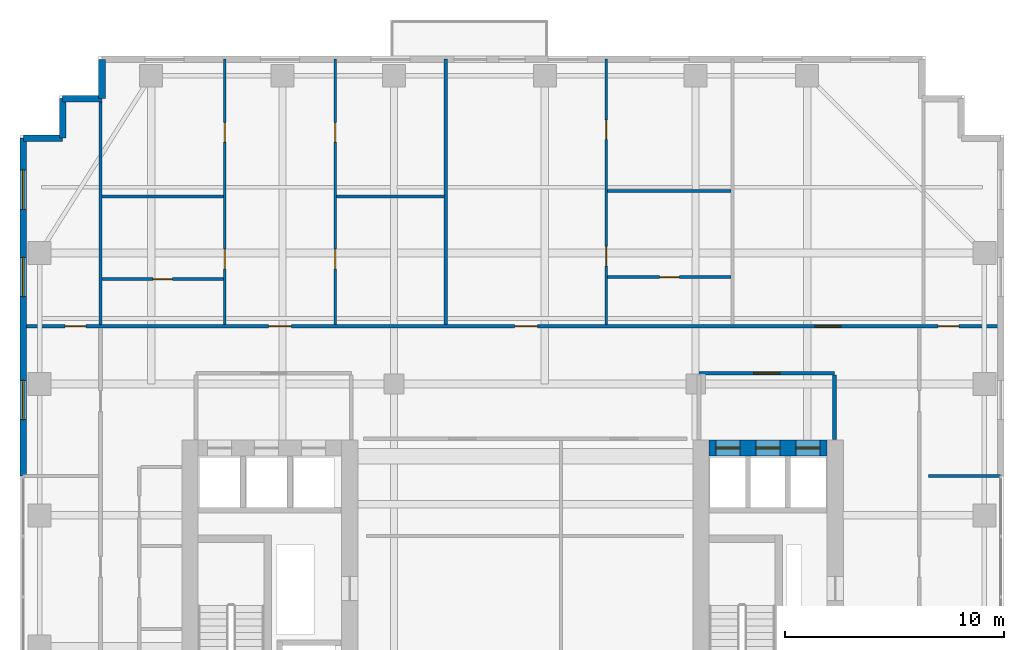
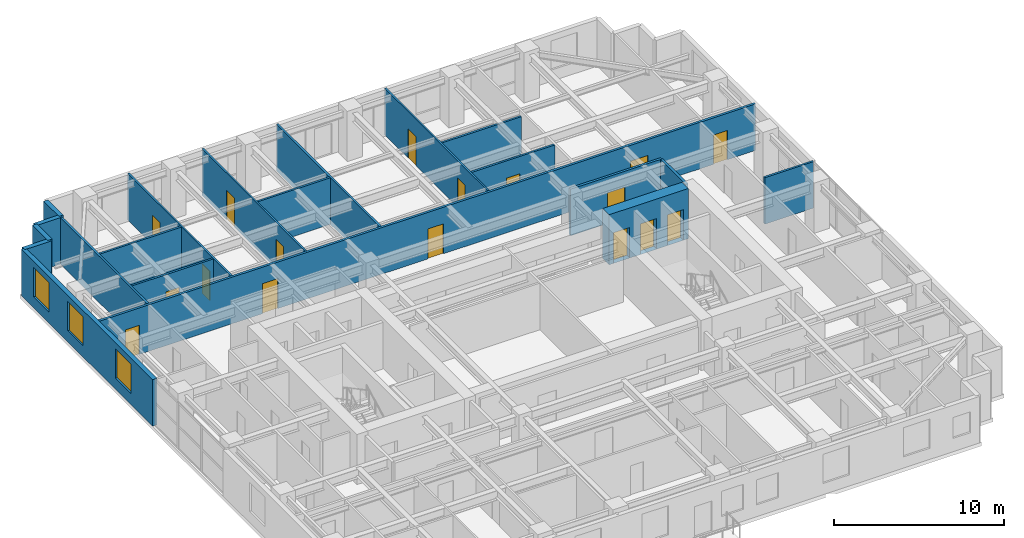
# One storey, part 10 of 13: 20 walls, 17 doors, 3 windows, 20 openings.
"""IFC4 building model written with IfcOpenShell, lengths in metres."""

from ifc_helpers import new_model, si_unit, direction, frame, frame_2d, origin, place, context, subcontext, project, spatial, rectangle, extrude, source, transform, mapped, material, layer, layer_set, type_object, element, fill, save


model = new_model("IFC4")

# Units and contexts
model_context = context("Model", 3, precision=1e-05, world=origin(), true_north=direction((0.0, 1.0)))
body_context = subcontext(model_context, "Body", "Model", "MODEL_VIEW")
ifc_project = project(units=[si_unit("LENGTHUNIT", "METRE"), si_unit("AREAUNIT", "SQUARE_METRE"), si_unit("VOLUMEUNIT", "CUBIC_METRE"), si_unit("PLANEANGLEUNIT", "RADIAN"), si_unit("MASSUNIT", "GRAM", prefix="KILO")], contexts=[model_context])

# Site, building, storey
site_placement = place(None, origin())
site = spatial("IfcSite", under=ifc_project, at=site_placement, CompositionType="ELEMENT")
building_placement = place(site_placement, origin())
building = spatial("IfcBuilding", under=site, at=building_placement, Name="Khoralis Quay Care Tower", CompositionType="ELEMENT")
storey_placement = place(building_placement, frame((0.0, 0.0, 87.300048828125)))
storey = spatial("IfcBuildingStorey", under=building, at=storey_placement, Name="L22", CompositionType="ELEMENT", Elevation=87.300048828125)

# Wall, openings, doors
ifc_material_1 = material(Name="Concrete C80/95", Category="concrete")
ifc_layer_1 = layer(ifc_material_1, 0.75)
ifc_layer_set_1 = layer_set([ifc_layer_1], Name="Concrete C80/95")
wall_type_1 = type_object("IfcWallType", Name="WL-CORE-750", PredefinedType="SHEAR", material=ifc_layer_set_1)
wall_1_placement = place(storey_placement, frame((31.52001953125, 27.074951171875, 0.0), z_axis=(0.0, 0.0, 1.0), x_axis=(1.0, 0.0, 0.0)))
wall_1 = element("IfcWall", 1, at=wall_1_placement, inside=storey, type_object=wall_type_1, Name="L22 ECORE North Shear Wall", PredefinedType="SHEAR", context=body_context, shape_type="SweptSolid", body=[
    extrude(rectangle(XDim=5.3798828125, YDim=0.75, at=frame_2d((2.68994140625, 0.0))), origin(), (0.0, 0.0, 1.0), 3.599853515625),
])
opening_1_placement = place(wall_1_placement, frame((0.300048828125, 0.0, 0.0)))
opening_1 = element("IfcOpeningElement", 2, at=opening_1_placement, cuts=wall_1, Name="Opening LD1", PredefinedType="OPENING", context=body_context, shape_type="SweptSolid", body=[
    extrude(rectangle(XDim=1.10009765625, YDim=2.199951171875, at=frame_2d((0.550048828125, 1.10009765625))), frame((0.0, 0.385009765625, 0.0), z_axis=(0.0, -1.0, 0.0), x_axis=(1.0, 0.0, 0.0)), (0.0, 0.0, 1.0), 0.77001953125),
])
opening_2_placement = place(wall_1_placement, frame((2.1298828125, 0.0, 0.0)))
opening_2 = element("IfcOpeningElement", 3, at=opening_2_placement, cuts=wall_1, Name="Opening LD1", PredefinedType="OPENING", context=body_context, shape_type="SweptSolid", body=[
    extrude(rectangle(XDim=1.10009765625, YDim=2.199951171875, at=frame_2d((0.550048828125, 1.10009765625))), frame((0.0, 0.385009765625, 0.0), z_axis=(0.0, -1.0, 0.0), x_axis=(1.0, 0.0, 0.0)), (0.0, 0.0, 1.0), 0.77001953125),
])
opening_3_placement = place(wall_1_placement, frame((3.9599609375, 0.0, 0.0)))
opening_3 = element("IfcOpeningElement", 4, at=opening_3_placement, cuts=wall_1, Name="Opening LD1", PredefinedType="OPENING", context=body_context, shape_type="SweptSolid", body=[
    extrude(rectangle(XDim=1.10009765625, YDim=2.199951171875, at=frame_2d((0.550048828125, 1.10009765625))), frame((0.0, 0.385009765625, 0.0), z_axis=(0.0, -1.0, 0.0), x_axis=(1.0, 0.0, 0.0)), (0.0, 0.0, 1.0), 0.77001953125),
])
ifc_material_2 = material(Name="Brushed stainless steel", Category="steel")
door_type_1 = type_object("IfcDoorType", Name="DR-LIFT-1100X2200", OperationType="SLIDING_TO_LEFT", PredefinedType="DOOR", material=ifc_material_2)
shared_shape_1 = source(origin(), body_context, "Body", "SweptSolid", [
    extrude(rectangle(XDim=1.10009765625, YDim=2.199951171875, at=frame_2d((0.550048828125, 1.10009765625))), frame((0.0, 0.02490234375, 0.0), z_axis=(0.0, -1.0, 0.0), x_axis=(1.0, 0.0, 0.0)), (0.0, 0.0, 1.0), 0.050048828125),
])
door_1_placement = place(opening_1_placement, origin())
door_1 = element("IfcDoor", 5, at=door_1_placement, inside=storey, type_object=door_type_1, Name="L22 Lift PLL2 Landing Door", OperationType="SLIDING_TO_LEFT", OverallHeight=2.199951171875, OverallWidth=1.10009765625, PredefinedType="DOOR", context=body_context, shape_type="MappedRepresentation", body=[
    mapped(shared_shape_1, transform((0.0, 0.0, 0.0), scale=1.0)),
])
fill(opening_1, door_1)
door_2_placement = place(opening_2_placement, origin())
door_2 = element("IfcDoor", 6, at=door_2_placement, inside=storey, type_object=door_type_1, Name="L22 Lift PLM2 Landing Door", OperationType="SLIDING_TO_LEFT", OverallHeight=2.199951171875, OverallWidth=1.10009765625, PredefinedType="DOOR", context=body_context, shape_type="MappedRepresentation", body=[
    mapped(shared_shape_1, transform((0.0, 0.0, 0.0), scale=1.0)),
])
fill(opening_2, door_2)
door_3_placement = place(opening_3_placement, origin())
door_3 = element("IfcDoor", 7, at=door_3_placement, inside=storey, type_object=door_type_1, Name="L22 Lift PLH2 Landing Door", OperationType="SLIDING_TO_LEFT", OverallHeight=2.199951171875, OverallWidth=1.10009765625, PredefinedType="DOOR", context=body_context, shape_type="MappedRepresentation", body=[
    mapped(shared_shape_1, transform((0.0, 0.0, 0.0), scale=1.0)),
])
fill(opening_3, door_3)

# Wall, opening, door
ifc_material_3 = material(Name="Gypsum plasterboard on acoustic metal stud")
ifc_layer_2 = layer(ifc_material_3, 0.1650390625)
ifc_layer_set_2 = layer_set([ifc_layer_2], Name="Gypsum plasterboard on acoustic metal stud")
wall_type_2 = type_object("IfcWallType", Name="WL-CORR-165", PredefinedType="PARTITIONING", material=ifc_layer_set_2)
wall_2_placement = place(storey_placement, frame((31.050048828125, 30.5, 0.0), z_axis=(0.0, 0.0, 1.0), x_axis=(1.0, 0.0, 0.0)))
wall_2 = element("IfcWall", 8, at=wall_2_placement, inside=storey, type_object=wall_type_2, Name="L22 East Lift Lobby North Wall", PredefinedType="PARTITIONING", context=body_context, shape_type="SweptSolid", body=[
    extrude(rectangle(XDim=6.199951171875, YDim=0.1650390625, at=frame_2d((3.10009765625, 0.0))), origin(), (0.0, 0.0, 1.0), 3.33984375),
])
opening_4_placement = place(wall_2_placement, frame((2.5, 0.0, 0.0)))
opening_4 = element("IfcOpeningElement", 9, at=opening_4_placement, cuts=wall_2, Name="Opening FD1", PredefinedType="OPENING", context=body_context, shape_type="SweptSolid", body=[
    extrude(rectangle(XDim=1.199951171875, YDim=2.199951171875, at=frame_2d((0.60009765625, 1.10009765625))), frame((0.0, 0.092529296875, 0.0), z_axis=(0.0, -1.0, 0.0), x_axis=(1.0, 0.0, 0.0)), (0.0, 0.0, 1.0), 0.18505859375),
])
ifc_material_4 = material(Name="Fire-rated painted steel", Category="steel")
door_type_2 = type_object("IfcDoorType", Name="DR-FFL-1200X2200", OperationType="NOTDEFINED", PredefinedType="DOOR", material=ifc_material_4)
shared_shape_2 = source(origin(), body_context, "Body", "SweptSolid", [
    extrude(rectangle(XDim=1.199951171875, YDim=2.199951171875, at=frame_2d((0.60009765625, 1.10009765625))), frame((0.0, 0.02490234375, 0.0), z_axis=(0.0, -1.0, 0.0), x_axis=(1.0, 0.0, 0.0)), (0.0, 0.0, 1.0), 0.050048828125),
])
door_4_placement = place(opening_4_placement, origin())
door_4 = element("IfcDoor", 10, at=door_4_placement, inside=storey, type_object=door_type_2, Name="L22 East Lift Lobby Double Door", OperationType="DOUBLE_DOOR_SINGLE_SWING", OverallHeight=2.199951171875, OverallWidth=1.199951171875, PredefinedType="DOOR", context=body_context, shape_type="MappedRepresentation", body=[
    mapped(shared_shape_2, transform((0.0, 0.0, 0.0), scale=1.0)),
])
fill(opening_4, door_4)

# Wall
wall_3_placement = place(storey_placement, frame((37.25, 27.469970703125, 0.0), z_axis=(0.0, 0.0, 1.0), x_axis=(0.0, 1.0, 0.0)))
element("IfcWall", 11, at=wall_3_placement, inside=storey, type_object=wall_type_2, Name="L22 East Lift Lobby East Wall", PredefinedType="PARTITIONING", context=body_context, shape_type="SweptSolid", body=[
    extrude(rectangle(XDim=2.95263671875, YDim=0.1650390625, at=frame_2d((1.476318359375, 0.0))), origin(), (0.0, 0.0, 1.0), 3.33984375),
])

# Wall, openings, doors
wall_4_placement = place(storey_placement, frame((0.14501953125, 32.639892578125, 0.0), z_axis=(0.0, 0.0, 1.0), x_axis=(1.0, 0.0, 0.0)))
wall_4 = element("IfcWall", 12, at=wall_4_placement, inside=storey, type_object=wall_type_2, Name="L22 North Main Corridor Wall", PredefinedType="PARTITIONING", context=body_context, shape_type="SweptSolid", body=[
    extrude(rectangle(XDim=44.7099609375, YDim=0.1650390625, at=frame_2d((22.35498046875, 0.0))), origin(), (0.0, 0.0, 1.0), 3.33984375),
])
opening_5_placement = place(wall_4_placement, frame((11.220458984375, 0.0, 0.0)))
opening_5 = element("IfcOpeningElement", 13, at=opening_5_placement, cuts=wall_4, Name="Opening UD1", PredefinedType="OPENING", context=body_context, shape_type="SweptSolid", body=[
    extrude(rectangle(XDim=1.050048828125, YDim=2.14990234375, at=frame_2d((0.52490234375, 1.074951171875))), frame((0.0, 0.092529296875, 0.0), z_axis=(0.0, -1.0, 0.0), x_axis=(1.0, 0.0, 0.0)), (0.0, 0.0, 1.0), 0.18505859375),
])
opening_6_placement = place(wall_4_placement, frame((22.473388671875, 0.0, 0.0)))
opening_6 = element("IfcOpeningElement", 14, at=opening_6_placement, cuts=wall_4, Name="Opening UD1", PredefinedType="OPENING", context=body_context, shape_type="SweptSolid", body=[
    extrude(rectangle(XDim=1.050048828125, YDim=2.14990234375, at=frame_2d((0.52490234375, 1.074951171875))), frame((0.0, 0.092529296875, 0.0), z_axis=(0.0, -1.0, 0.0), x_axis=(1.0, 0.0, 0.0)), (0.0, 0.0, 1.0), 0.18505859375),
])
opening_7_placement = place(wall_4_placement, frame((36.2099609375, 0.0, 0.0)))
opening_7 = element("IfcOpeningElement", 15, at=opening_7_placement, cuts=wall_4, Name="Opening FD1", PredefinedType="OPENING", context=body_context, shape_type="SweptSolid", body=[
    extrude(rectangle(XDim=1.199951171875, YDim=2.199951171875, at=frame_2d((0.60009765625, 1.10009765625))), frame((0.0, 0.092529296875, 0.0), z_axis=(0.0, -1.0, 0.0), x_axis=(1.0, 0.0, 0.0)), (0.0, 0.0, 1.0), 0.18505859375),
])
opening_8_placement = place(wall_4_placement, frame((1.919921875, 0.0, 0.0)))
opening_8 = element("IfcOpeningElement", 16, at=opening_8_placement, cuts=wall_4, Name="Opening ID1", PredefinedType="OPENING", context=body_context, shape_type="SweptSolid", body=[
    extrude(rectangle(XDim=0.949951171875, YDim=2.10009765625, at=frame_2d((0.47509765625, 1.050048828125))), frame((0.0, 0.092529296875, 0.0), z_axis=(0.0, -1.0, 0.0), x_axis=(1.0, 0.0, 0.0)), (0.0, 0.0, 1.0), 0.18505859375),
])
opening_9_placement = place(wall_4_placement, frame((41.840087890625, 0.0, 0.0)))
opening_9 = element("IfcOpeningElement", 17, at=opening_9_placement, cuts=wall_4, Name="Opening ID1", PredefinedType="OPENING", context=body_context, shape_type="SweptSolid", body=[
    extrude(rectangle(XDim=0.949951171875, YDim=2.10009765625, at=frame_2d((0.47509765625, 1.050048828125))), frame((0.0, 0.092529296875, 0.0), z_axis=(0.0, -1.0, 0.0), x_axis=(1.0, 0.0, 0.0)), (0.0, 0.0, 1.0), 0.18505859375),
])
door_5_placement = place(opening_7_placement, origin())
door_5 = element("IfcDoor", 18, at=door_5_placement, inside=storey, type_object=door_type_2, Name="L22 Assisted Communal Dining Room Door", OperationType="DOUBLE_DOOR_SINGLE_SWING", OverallHeight=2.199951171875, OverallWidth=1.199951171875, PredefinedType="DOOR", context=body_context, shape_type="MappedRepresentation", body=[
    mapped(shared_shape_2, transform((0.0, 0.0, 0.0), scale=1.0)),
])
fill(opening_7, door_5)
ifc_material_5 = material(Name="Acoustic hardwood timber", Category="wood")
door_type_3 = type_object("IfcDoorType", Name="DR-ROOM-950X2100", OperationType="NOTDEFINED", PredefinedType="DOOR", material=ifc_material_5)
shared_shape_3 = source(origin(), body_context, "Body", "SweptSolid", [
    extrude(rectangle(XDim=0.949951171875, YDim=2.10009765625, at=frame_2d((0.47509765625, 1.050048828125))), frame((0.0, 0.02490234375, 0.0), z_axis=(0.0, -1.0, 0.0), x_axis=(1.0, 0.0, 0.0)), (0.0, 0.0, 1.0), 0.050048828125),
])
door_6_placement = place(opening_8_placement, origin())
door_6 = element("IfcDoor", 19, at=door_6_placement, inside=storey, type_object=door_type_3, Name="L22 NW Corner Door", OperationType="SINGLE_SWING_RIGHT", OverallHeight=2.10009765625, OverallWidth=0.949951171875, PredefinedType="DOOR", context=body_context, shape_type="MappedRepresentation", body=[
    mapped(shared_shape_3, transform((0.0, 0.0, 0.0), scale=1.0)),
])
fill(opening_8, door_6)
door_7_placement = place(opening_9_placement, origin())
door_7 = element("IfcDoor", 20, at=door_7_placement, inside=storey, type_object=door_type_3, Name="L22 NE Corner Door", OperationType="SINGLE_SWING_LEFT", OverallHeight=2.10009765625, OverallWidth=0.949951171875, PredefinedType="DOOR", context=body_context, shape_type="MappedRepresentation", body=[
    mapped(shared_shape_3, transform((0.0, 0.0, 0.0), scale=1.0)),
])
fill(opening_9, door_7)
door_type_4 = type_object("IfcDoorType", Name="DR-SUITE-1050X2150", OperationType="NOTDEFINED", PredefinedType="DOOR", material=ifc_material_5)
shared_shape_4 = source(origin(), body_context, "Body", "SweptSolid", [
    extrude(rectangle(XDim=1.050048828125, YDim=2.14990234375, at=frame_2d((0.52490234375, 1.074951171875))), frame((0.0, 0.02490234375, 0.0), z_axis=(0.0, -1.0, 0.0), x_axis=(1.0, 0.0, 0.0)), (0.0, 0.0, 1.0), 0.050048828125),
])
door_8_placement = place(opening_5_placement, origin())
door_8 = element("IfcDoor", 21, at=door_8_placement, inside=storey, type_object=door_type_4, Name="L22 2BR NB0 Entrance", OperationType="SINGLE_SWING_RIGHT", OverallHeight=2.14990234375, OverallWidth=1.050048828125, PredefinedType="DOOR", context=body_context, shape_type="MappedRepresentation", body=[
    mapped(shared_shape_4, transform((0.0, 0.0, 0.0), scale=1.0)),
])
fill(opening_5, door_8)
door_9_placement = place(opening_6_placement, origin())
door_9 = element("IfcDoor", 22, at=door_9_placement, inside=storey, type_object=door_type_4, Name="L22 Studio NB1 Entrance", OperationType="SINGLE_SWING_LEFT", OverallHeight=2.14990234375, OverallWidth=1.050048828125, PredefinedType="DOOR", context=body_context, shape_type="MappedRepresentation", body=[
    mapped(shared_shape_4, transform((0.0, 0.0, 0.0), scale=1.0)),
])
fill(opening_6, door_9)

# Walls
ifc_material_6 = material(Name="Precast concrete C45/55", Category="concrete")
ifc_layer_3 = layer(ifc_material_6, 0.300048828125)
ifc_layer_set_3 = layer_set([ifc_layer_3], Name="Precast concrete C45/55")
wall_type_3 = type_object("IfcWallType", Name="WL-EXT-REF-300", PredefinedType="SOLIDWALL", material=ifc_layer_set_3)
for number, where, z_axis, x_axis, name in (
    (23, (3.75, 44.85009765625, 0.0), (0.0, 0.0, 1.0), (0.0, -1.0, 0.0), "L22 External Facade Wall WL-EXT-L22-P1-C11"),
    (24, (3.75, 43.050048828125, 0.0), (0.0, 0.0, 1.0), (-1.0, 0.0, 0.0), "L22 External Facade Wall WL-EXT-L22-P1-C12"),
    (25, (1.949951171875, 43.050048828125, 0.0), (0.0, 0.0, 1.0), (0.0, -1.0, 0.0), "L22 External Facade Wall WL-EXT-L22-P1-C13"),
    (26, (1.949951171875, 41.25, 0.0), (0.0, 0.0, 1.0), (-1.0, 0.0, 0.0), "L22 External Facade Wall WL-EXT-L22-P1-C14"),
):
    element("IfcWall", number, at=place(storey_placement, frame(where, z_axis=z_axis, x_axis=x_axis)), inside=storey, type_object=wall_type_3, Name=name, PredefinedType="SOLIDWALL", context=body_context, shape_type="SweptSolid", body=[
        extrude(rectangle(XDim=1.800048828125, YDim=0.300048828125, at=frame_2d((0.89990234375, 0.0))), origin(), (0.0, 0.0, 1.0), 3.33984375),
    ])

# Wall, openings, windows
wall_5_placement = place(storey_placement, frame((0.14990234375, 41.25, 0.0), z_axis=(0.0, 0.0, 1.0), x_axis=(0.0, -1.0, 0.0)))
wall_5 = element("IfcWall", 27, at=wall_5_placement, inside=storey, type_object=wall_type_3, Name="L22 External Facade Wall WL-EXT-L22-P1-E15A", PredefinedType="SOLIDWALL", context=body_context, shape_type="SweptSolid", body=[
    extrude(rectangle(XDim=15.449951171875, YDim=0.300048828125, at=frame_2d((7.72509765625, 0.0))), origin(), (0.0, 0.0, 1.0), 3.33984375),
])
opening_10_placement = place(wall_5_placement, frame((1.45751953125, 0.0, 0.800048828125)))
opening_10 = element("IfcOpeningElement", 28, at=opening_10_placement, cuts=wall_5, Name="Opening W2", PredefinedType="OPENING", context=body_context, shape_type="SweptSolid", body=[
    extrude(rectangle(XDim=1.800048828125, YDim=2.10009765625, at=frame_2d((0.89990234375, 1.050048828125))), frame((0.0, 0.16015625, 0.0), z_axis=(0.0, -1.0, 0.0), x_axis=(1.0, 0.0, 0.0)), (0.0, 0.0, 1.0), 0.320068359375),
])
opening_11_placement = place(wall_5_placement, frame((5.452392578125, 0.0, 0.800048828125)))
opening_11 = element("IfcOpeningElement", 29, at=opening_11_placement, cuts=wall_5, Name="Opening W2", PredefinedType="OPENING", context=body_context, shape_type="SweptSolid", body=[
    extrude(rectangle(XDim=1.800048828125, YDim=2.10009765625, at=frame_2d((0.89990234375, 1.050048828125))), frame((0.0, 0.16015625, 0.0), z_axis=(0.0, -1.0, 0.0), x_axis=(1.0, 0.0, 0.0)), (0.0, 0.0, 1.0), 0.320068359375),
])
opening_12_placement = place(wall_5_placement, frame((11.080078125, 0.0, 0.800048828125)))
opening_12 = element("IfcOpeningElement", 30, at=opening_12_placement, cuts=wall_5, Name="Opening W2", PredefinedType="OPENING", context=body_context, shape_type="SweptSolid", body=[
    extrude(rectangle(XDim=1.800048828125, YDim=2.10009765625, at=frame_2d((0.89990234375, 1.050048828125))), frame((0.0, 0.16015625, 0.0), z_axis=(0.0, -1.0, 0.0), x_axis=(1.0, 0.0, 0.0)), (0.0, 0.0, 1.0), 0.320068359375),
])
ifc_material_7 = material(Name="Low-E solar-control double glazing", Category="glass")
window_type = type_object("IfcWindowType", Name="WN-POD-1800X2100", PartitioningType="SINGLE_PANEL", PredefinedType="WINDOW", material=ifc_material_7)
shared_shape_5 = source(origin(), body_context, "Body", "SweptSolid", [
    extrude(rectangle(XDim=1.800048828125, YDim=2.10009765625, at=frame_2d((0.89990234375, 1.050048828125))), frame((0.0, 0.030029296875, 0.0), z_axis=(0.0, -1.0, 0.0), x_axis=(1.0, 0.0, 0.0)), (0.0, 0.0, 1.0), 0.06005859375),
])
window_1_placement = place(opening_10_placement, origin())
window_1 = element("IfcWindow", 31, at=window_1_placement, inside=storey, type_object=window_type, Name="WN-L22-P1-E15A Facade Window 01", OverallHeight=2.10009765625, OverallWidth=1.800048828125, PartitioningType="SINGLE_PANEL", PredefinedType="WINDOW", context=body_context, shape_type="MappedRepresentation", body=[
    mapped(shared_shape_5, transform((0.0, 0.0, 0.0), scale=1.0)),
])
fill(opening_10, window_1)
window_2_placement = place(opening_11_placement, origin())
window_2 = element("IfcWindow", 32, at=window_2_placement, inside=storey, type_object=window_type, Name="WN-L22-P1-E15A Facade Window 02", OverallHeight=2.10009765625, OverallWidth=1.800048828125, PartitioningType="SINGLE_PANEL", PredefinedType="WINDOW", context=body_context, shape_type="MappedRepresentation", body=[
    mapped(shared_shape_5, transform((0.0, 0.0, 0.0), scale=1.0)),
])
fill(opening_11, window_2)
window_3_placement = place(opening_12_placement, origin())
window_3 = element("IfcWindow", 33, at=window_3_placement, inside=storey, type_object=window_type, Name="WN-L22-P1-E15A Facade Window 03", OverallHeight=2.10009765625, OverallWidth=1.800048828125, PartitioningType="SINGLE_PANEL", PredefinedType="WINDOW", context=body_context, shape_type="MappedRepresentation", body=[
    mapped(shared_shape_5, transform((0.0, 0.0, 0.0), scale=1.0)),
])
fill(opening_12, window_3)

# Wall, openings, doors
ifc_layer_4 = layer(ifc_material_3, 0.114990234375)
ifc_layer_set_4 = layer_set([ifc_layer_4], Name="Gypsum plasterboard on acoustic metal stud")
wall_type_4 = type_object("IfcWallType", Name="WL-PART-115", PredefinedType="PARTITIONING", material=ifc_layer_set_4)
wall_6_placement = place(storey_placement, frame((9.364013671875, 32.717529296875, 0.0), z_axis=(0.0, 0.0, 1.0), x_axis=(0.0, 1.0, 0.0)))
wall_6 = element("IfcWall", 34, at=wall_6_placement, inside=storey, type_object=wall_type_4, Name="L22 2BR 0 Left Wall", PredefinedType="PARTITIONING", context=body_context, shape_type="SweptSolid", body=[
    extrude(rectangle(XDim=12.137451171875, YDim=0.114990234375, at=frame_2d((6.06884765625, 0.0))), origin(), (0.0, 0.0, 1.0), 3.33984375),
])
opening_13_placement = place(wall_6_placement, frame((8.343994140625, 0.0, 0.0)))
opening_13 = element("IfcOpeningElement", 35, at=opening_13_placement, cuts=wall_6, Name="Opening WD1", PredefinedType="OPENING", context=body_context, shape_type="SweptSolid", body=[
    extrude(rectangle(XDim=0.89990234375, YDim=2.10009765625, at=frame_2d((0.449951171875, 1.050048828125))), frame((0.0, 0.0673828125, 0.0), z_axis=(0.0, -1.0, 0.0), x_axis=(1.0, 0.0, 0.0)), (0.0, 0.0, 1.0), 0.135009765625),
])
opening_14_placement = place(wall_6_placement, frame((2.553955078125, 0.0, 0.0)))
opening_14 = element("IfcOpeningElement", 36, at=opening_14_placement, cuts=wall_6, Name="Opening WD1", PredefinedType="OPENING", context=body_context, shape_type="SweptSolid", body=[
    extrude(rectangle(XDim=0.89990234375, YDim=2.10009765625, at=frame_2d((0.449951171875, 1.050048828125))), frame((0.0, 0.0673828125, 0.0), z_axis=(0.0, -1.0, 0.0), x_axis=(1.0, 0.0, 0.0)), (0.0, 0.0, 1.0), 0.135009765625),
])
door_type_5 = type_object("IfcDoorType", Name="DR-BATH-900X2100", OperationType="NOTDEFINED", PredefinedType="DOOR", material=ifc_material_5)
shared_shape_6 = source(origin(), body_context, "Body", "SweptSolid", [
    extrude(rectangle(XDim=0.89990234375, YDim=2.10009765625, at=frame_2d((0.449951171875, 1.050048828125))), frame((0.0, 0.02490234375, 0.0), z_axis=(0.0, -1.0, 0.0), x_axis=(1.0, 0.0, 0.0)), (0.0, 0.0, 1.0), 0.050048828125),
])
door_10_placement = place(opening_13_placement, origin())
door_10 = element("IfcDoor", 37, at=door_10_placement, inside=storey, type_object=door_type_5, Name="L22 2BR BD1 Door", OperationType="SINGLE_SWING_LEFT", OverallHeight=2.10009765625, OverallWidth=0.89990234375, PredefinedType="DOOR", context=body_context, shape_type="MappedRepresentation", body=[
    mapped(shared_shape_6, transform((0.0, 0.0, 0.0), scale=1.0)),
])
fill(opening_13, door_10)
door_11_placement = place(opening_14_placement, origin())
door_11 = element("IfcDoor", 38, at=door_11_placement, inside=storey, type_object=door_type_5, Name="L22 2BR BTH Door", OperationType="SINGLE_SWING_RIGHT", OverallHeight=2.10009765625, OverallWidth=0.89990234375, PredefinedType="DOOR", context=body_context, shape_type="MappedRepresentation", body=[
    mapped(shared_shape_6, transform((0.0, 0.0, 0.0), scale=1.0)),
])
fill(opening_14, door_11)

wall_7_placement = place(storey_placement, frame((14.4169921875, 32.717529296875, 0.0), z_axis=(0.0, 0.0, 1.0), x_axis=(0.0, 1.0, 0.0)))
wall_7 = element("IfcWall", 39, at=wall_7_placement, inside=storey, type_object=wall_type_4, Name="L22 2BR 0 Right Wall", PredefinedType="PARTITIONING", context=body_context, shape_type="SweptSolid", body=[
    extrude(rectangle(XDim=12.137451171875, YDim=0.114990234375, at=frame_2d((6.06884765625, 0.0))), origin(), (0.0, 0.0, 1.0), 3.33984375),
])
opening_15_placement = place(wall_7_placement, frame((8.343994140625, 0.0, 0.0)))
opening_15 = element("IfcOpeningElement", 40, at=opening_15_placement, cuts=wall_7, Name="Opening WD1", PredefinedType="OPENING", context=body_context, shape_type="SweptSolid", body=[
    extrude(rectangle(XDim=0.89990234375, YDim=2.10009765625, at=frame_2d((0.449951171875, 1.050048828125))), frame((0.0, 0.0673828125, 0.0), z_axis=(0.0, -1.0, 0.0), x_axis=(1.0, 0.0, 0.0)), (0.0, 0.0, 1.0), 0.135009765625),
])
opening_16_placement = place(wall_7_placement, frame((2.553955078125, 0.0, 0.0)))
opening_16 = element("IfcOpeningElement", 41, at=opening_16_placement, cuts=wall_7, Name="Opening WD1", PredefinedType="OPENING", context=body_context, shape_type="SweptSolid", body=[
    extrude(rectangle(XDim=0.89990234375, YDim=2.10009765625, at=frame_2d((0.449951171875, 1.050048828125))), frame((0.0, 0.0673828125, 0.0), z_axis=(0.0, -1.0, 0.0), x_axis=(1.0, 0.0, 0.0)), (0.0, 0.0, 1.0), 0.135009765625),
])
door_12_placement = place(opening_15_placement, frame((0.89990234375, 0.0, 0.0), z_axis=(0.0, 0.0, 1.0), x_axis=(-1.0, 0.0, 0.0)))
door_12 = element("IfcDoor", 42, at=door_12_placement, inside=storey, type_object=door_type_5, Name="L22 2BR BD2 Door", OperationType="SINGLE_SWING_LEFT", OverallHeight=2.10009765625, OverallWidth=0.89990234375, PredefinedType="DOOR", context=body_context, shape_type="MappedRepresentation", body=[
    mapped(shared_shape_6, transform((0.0, 0.0, 0.0), scale=1.0)),
])
fill(opening_15, door_12)
door_13_placement = place(opening_16_placement, frame((0.89990234375, 0.0, 0.0), z_axis=(0.0, 0.0, 1.0), x_axis=(-1.0, 0.0, 0.0)))
door_13 = element("IfcDoor", 43, at=door_13_placement, inside=storey, type_object=door_type_5, Name="L22 2BR KIT Door", OperationType="SINGLE_SWING_RIGHT", OverallHeight=2.10009765625, OverallWidth=0.89990234375, PredefinedType="DOOR", context=body_context, shape_type="MappedRepresentation", body=[
    mapped(shared_shape_6, transform((0.0, 0.0, 0.0), scale=1.0)),
])
fill(opening_16, door_13)

wall_8_placement = place(storey_placement, frame((26.81689453125, 32.717529296875, 0.0), z_axis=(0.0, 0.0, 1.0), x_axis=(0.0, 1.0, 0.0)))
wall_8 = element("IfcWall", 44, at=wall_8_placement, inside=storey, type_object=wall_type_4, Name="L22 Studio 1 Internal Wall", PredefinedType="PARTITIONING", context=body_context, shape_type="SweptSolid", body=[
    extrude(rectangle(XDim=12.137451171875, YDim=0.114990234375, at=frame_2d((6.06884765625, 0.0))), origin(), (0.0, 0.0, 1.0), 3.33984375),
])
opening_17_placement = place(wall_8_placement, frame((8.467529296875, 0.0, 0.0)))
opening_17 = element("IfcOpeningElement", 45, at=opening_17_placement, cuts=wall_8, Name="Opening WD1", PredefinedType="OPENING", context=body_context, shape_type="SweptSolid", body=[
    extrude(rectangle(XDim=0.89990234375, YDim=2.10009765625, at=frame_2d((0.449951171875, 1.050048828125))), frame((0.0, 0.0673828125, 0.0), z_axis=(0.0, -1.0, 0.0), x_axis=(1.0, 0.0, 0.0)), (0.0, 0.0, 1.0), 0.135009765625),
])
opening_18_placement = place(wall_8_placement, frame((2.677490234375, 0.0, 0.0)))
opening_18 = element("IfcOpeningElement", 46, at=opening_18_placement, cuts=wall_8, Name="Opening WD1", PredefinedType="OPENING", context=body_context, shape_type="SweptSolid", body=[
    extrude(rectangle(XDim=0.89990234375, YDim=2.10009765625, at=frame_2d((0.449951171875, 1.050048828125))), frame((0.0, 0.0673828125, 0.0), z_axis=(0.0, -1.0, 0.0), x_axis=(1.0, 0.0, 0.0)), (0.0, 0.0, 1.0), 0.135009765625),
])
door_14_placement = place(opening_17_placement, frame((0.89990234375, 0.0, 0.0), z_axis=(0.0, 0.0, 1.0), x_axis=(-1.0, 0.0, 0.0)))
door_14 = element("IfcDoor", 47, at=door_14_placement, inside=storey, type_object=door_type_5, Name="L22 Studio SKT Door", OperationType="SINGLE_SWING_RIGHT", OverallHeight=2.10009765625, OverallWidth=0.89990234375, PredefinedType="DOOR", context=body_context, shape_type="MappedRepresentation", body=[
    mapped(shared_shape_6, transform((0.0, 0.0, 0.0), scale=1.0)),
])
fill(opening_17, door_14)
door_15_placement = place(opening_18_placement, frame((0.89990234375, 0.0, 0.0), z_axis=(0.0, 0.0, 1.0), x_axis=(-1.0, 0.0, 0.0)))
door_15 = element("IfcDoor", 48, at=door_15_placement, inside=storey, type_object=door_type_5, Name="L22 Studio SBH Door", OperationType="SINGLE_SWING_LEFT", OverallHeight=2.10009765625, OverallWidth=0.89990234375, PredefinedType="DOOR", context=body_context, shape_type="MappedRepresentation", body=[
    mapped(shared_shape_6, transform((0.0, 0.0, 0.0), scale=1.0)),
])
fill(opening_18, door_15)

# Walls
ifc_material_8 = material(Name="Moisture-resistant gypsum and ceramic tile")
ifc_layer_5 = layer(ifc_material_8, 0.280029296875)
ifc_layer_set_5 = layer_set([ifc_layer_5], Name="Moisture-resistant gypsum and ceramic tile")
wall_type_5 = type_object("IfcWallType", Name="WL-PLUMB-280", PredefinedType="PLUMBINGWALL", material=ifc_layer_set_5)
wall_9_placement = place(storey_placement, frame((3.7451171875, 38.572998046875, 0.0), z_axis=(0.0, 0.0, 1.0), x_axis=(1.0, 0.0, 0.0)))
element("IfcWall", 49, at=wall_9_placement, inside=storey, type_object=wall_type_5, Name="L22 2BR 0 Left Split", PredefinedType="PLUMBINGWALL", context=body_context, shape_type="SweptSolid", body=[
    extrude(rectangle(XDim=5.56640625, YDim=0.139892578125, at=frame_2d((2.783203125, 0.0))), origin(), (0.0, 0.0, 1.0), 3.33984375),
])
wall_10_placement = place(storey_placement, frame((14.469482421875, 38.572998046875, 0.0), z_axis=(0.0, 0.0, 1.0), x_axis=(1.0, 0.0, 0.0)))
element("IfcWall", 50, at=wall_10_placement, inside=storey, type_object=wall_type_5, Name="L22 2BR 0 Right Split", PredefinedType="PLUMBINGWALL", context=body_context, shape_type="SweptSolid", body=[
    extrude(rectangle(XDim=4.935546875, YDim=0.139892578125, at=frame_2d((2.4677734375, 0.0))), origin(), (0.0, 0.0, 1.0), 3.33984375),
])
wall_11_placement = place(storey_placement, frame((26.869384765625, 38.820068359375, 0.0), z_axis=(0.0, 0.0, 1.0), x_axis=(1.0, 0.0, 0.0)))
element("IfcWall", 51, at=wall_11_placement, inside=storey, type_object=wall_type_5, Name="L22 Studio 1 Wet Split", PredefinedType="PLUMBINGWALL", context=body_context, shape_type="SweptSolid", body=[
    extrude(rectangle(XDim=5.655517578125, YDim=0.139892578125, at=frame_2d((2.82763671875, 0.0))), origin(), (0.0, 0.0, 1.0), 2.98486328125),
])
ifc_layer_6 = layer(ifc_material_3, 0.139892578125)
ifc_layer_set_6 = layer_set([ifc_layer_6], Name="Gypsum plasterboard on acoustic metal stud")
wall_type_6 = type_object("IfcWallType", Name="WL-UNIT-140", PredefinedType="PARTITIONING", material=ifc_layer_set_6)
wall_12_placement = place(storey_placement, frame((41.5400390625, 25.800048828125, 0.0), z_axis=(0.0, 0.0, 1.0), x_axis=(1.0, 0.0, 0.0)))
element("IfcWall", 52, at=wall_12_placement, inside=storey, type_object=wall_type_6, Name="L22 EE Divider 2", PredefinedType="PARTITIONING", context=body_context, shape_type="SweptSolid", body=[
    extrude(rectangle(XDim=3.31494140625, YDim=0.139892578125, at=frame_2d((1.657470703125, 0.0))), origin(), (0.0, 0.0, 1.0), 3.33984375),
])
wall_13_placement = place(storey_placement, frame((3.679931640625, 32.717529296875, 0.0), z_axis=(0.0, 0.0, 1.0), x_axis=(0.0, 1.0, 0.0)))
element("IfcWall", 53, at=wall_13_placement, inside=storey, type_object=wall_type_6, Name="L22 NB Demising Wall 0", PredefinedType="PARTITIONING", context=body_context, shape_type="SweptSolid", body=[
    extrude(rectangle(XDim=10.33740234375, YDim=0.139892578125, at=frame_2d((5.168701171875, 0.0))), origin(), (0.0, 0.0, 1.0), 3.33984375),
])
wall_14_placement = place(storey_placement, frame((19.469970703125, 32.717529296875, 0.0), z_axis=(0.0, 0.0, 1.0), x_axis=(0.0, 1.0, 0.0)))
element("IfcWall", 54, at=wall_14_placement, inside=storey, type_object=wall_type_6, Name="L22 NB Demising Wall 1", PredefinedType="PARTITIONING", context=body_context, shape_type="SweptSolid", body=[
    extrude(rectangle(XDim=12.137451171875, YDim=0.139892578125, at=frame_2d((6.06884765625, 0.0))), origin(), (0.0, 0.0, 1.0), 3.33984375),
])

# Wall, opening, door
wall_15_placement = place(storey_placement, frame((3.7451171875, 34.800048828125, 0.0), z_axis=(0.0, 0.0, 1.0), x_axis=(1.0, 0.0, 0.0)))
wall_15 = element("IfcWall", 55, at=wall_15_placement, inside=storey, type_object=wall_type_6, Name="Family Apartment Bathroom L22-NB0 Sub-Partition", PredefinedType="PARTITIONING", context=body_context, shape_type="SweptSolid", body=[
    extrude(rectangle(XDim=5.56640625, YDim=0.139892578125, at=frame_2d((2.783203125, 0.0))), origin(), (0.0, 0.0, 1.0), 3.33984375),
])
opening_19_placement = place(wall_15_placement, frame((2.326904296875, 0.0, 0.0)))
opening_19 = element("IfcOpeningElement", 56, at=opening_19_placement, cuts=wall_15, Name="Opening WD1", PredefinedType="OPENING", context=body_context, shape_type="SweptSolid", body=[
    extrude(rectangle(XDim=0.89990234375, YDim=2.10009765625, at=frame_2d((0.449951171875, 1.050048828125))), frame((0.0, 0.080078125, 0.0), z_axis=(0.0, -1.0, 0.0), x_axis=(1.0, 0.0, 0.0)), (0.0, 0.0, 1.0), 0.159912109375),
])
door_16_placement = place(opening_19_placement, origin())
door_16 = element("IfcDoor", 57, at=door_16_placement, inside=storey, type_object=door_type_5, Name="Linen & Utility Closet BTH0 Door", OperationType="SINGLE_SWING_LEFT", OverallHeight=2.10009765625, OverallWidth=0.89990234375, PredefinedType="DOOR", context=body_context, shape_type="MappedRepresentation", body=[
    mapped(shared_shape_6, transform((0.0, 0.0, 0.0), scale=1.0)),
])
fill(opening_19, door_16)

wall_16_placement = place(storey_placement, frame((26.869384765625, 34.889892578125, 0.0), z_axis=(0.0, 0.0, 1.0), x_axis=(1.0, 0.0, 0.0)))
wall_16 = element("IfcWall", 58, at=wall_16_placement, inside=storey, type_object=wall_type_6, Name="Studio Bathroom L22-NB1 Sub-Partition", PredefinedType="PARTITIONING", context=body_context, shape_type="SweptSolid", body=[
    extrude(rectangle(XDim=5.655517578125, YDim=0.139892578125, at=frame_2d((2.82763671875, 0.0))), origin(), (0.0, 0.0, 1.0), 3.33984375),
])
opening_20_placement = place(wall_16_placement, frame((2.384033203125, 0.0, 0.0)))
opening_20 = element("IfcOpeningElement", 59, at=opening_20_placement, cuts=wall_16, Name="Opening WD1", PredefinedType="OPENING", context=body_context, shape_type="SweptSolid", body=[
    extrude(rectangle(XDim=0.89990234375, YDim=2.10009765625, at=frame_2d((0.449951171875, 1.050048828125))), frame((0.0, 0.080078125, 0.0), z_axis=(0.0, -1.0, 0.0), x_axis=(1.0, 0.0, 0.0)), (0.0, 0.0, 1.0), 0.159912109375),
])
door_17_placement = place(opening_20_placement, origin())
door_17 = element("IfcDoor", 60, at=door_17_placement, inside=storey, type_object=door_type_5, Name="Linen & Utility Closet SBH1 Door", OperationType="SINGLE_SWING_LEFT", OverallHeight=2.10009765625, OverallWidth=0.89990234375, PredefinedType="DOOR", context=body_context, shape_type="MappedRepresentation", body=[
    mapped(shared_shape_6, transform((0.0, 0.0, 0.0), scale=1.0)),
])
fill(opening_20, door_17)

save(model, "model.ifc")
